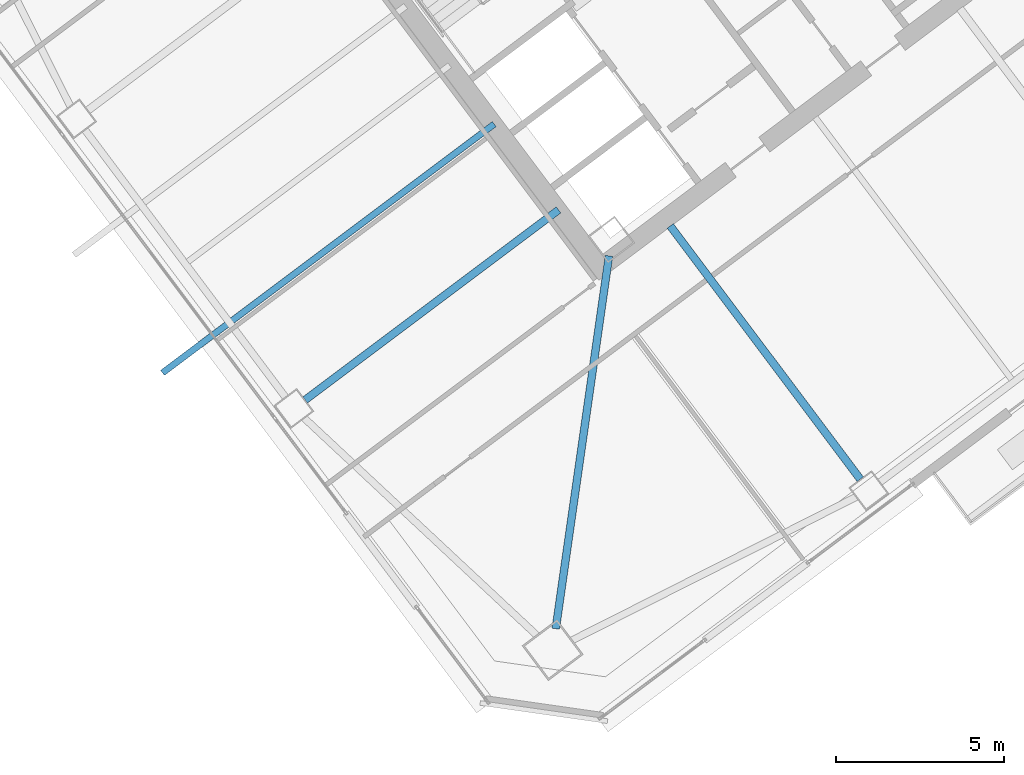
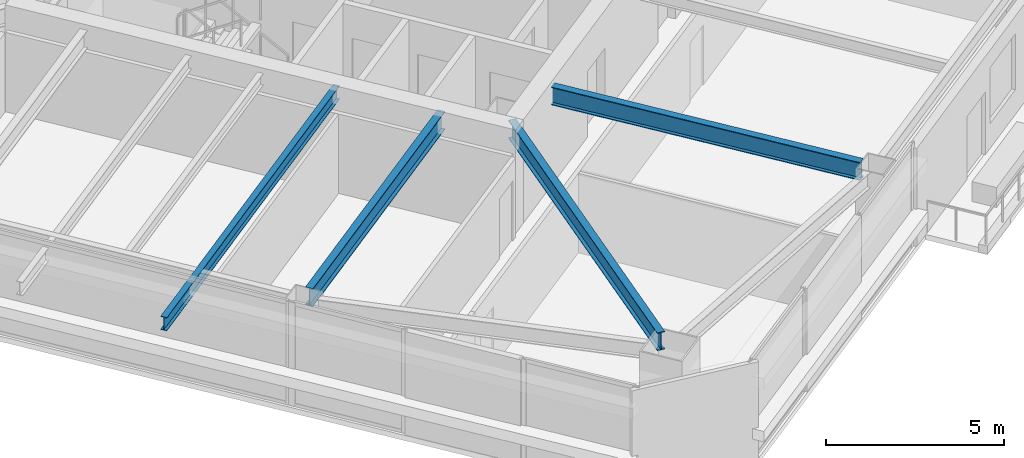
# One storey, part 22 of 46: 4 beams.
"""IFC4 building model written with IfcOpenShell, lengths in metres."""

from ifc_helpers import new_model, si_unit, direction, frame, origin, origin_2d, place, context, subcontext, project, spatial, i_section, extrude, material, material_profile, profile_set, type_object, element, save


model = new_model("IFC4")

# Units and contexts
model_context = context("Model", 3, precision=1e-05, world=origin(), true_north=direction((0.0, 1.0)))
body_context = subcontext(model_context, "Body", "Model", "MODEL_VIEW")
ifc_project = project(units=[si_unit("LENGTHUNIT", "METRE"), si_unit("AREAUNIT", "SQUARE_METRE"), si_unit("VOLUMEUNIT", "CUBIC_METRE"), si_unit("PLANEANGLEUNIT", "RADIAN"), si_unit("MASSUNIT", "GRAM", prefix="KILO")], contexts=[model_context])

# Site, building, storey
site_placement = place(None, origin())
site = spatial("IfcSite", under=ifc_project, at=site_placement, CompositionType="ELEMENT")
building_placement = place(site_placement, origin())
building = spatial("IfcBuilding", under=site, at=building_placement, Name="Tashvorn Skyway Center", CompositionType="ELEMENT")
storey_placement = place(building_placement, frame((0.0, 0.0, 139.25)))
storey = spatial("IfcBuildingStorey", under=building, at=storey_placement, Name="L37", CompositionType="ELEMENT", Elevation=139.25)

# Beams
ifc_material = material(Name="Steel ASTM A992 Grade 50", Category="steel")
ifc_material_profile_1 = material_profile(ifc_material, i_section(OverallWidth=0.22998046875, OverallDepth=0.616943359375, WebThickness=0.01318359375, FlangeThickness=0.022216796875, at=origin_2d()), Name="W24X94")
ifc_profile_set_1 = profile_set([ifc_material_profile_1], Name="Steel ASTM A992 Grade 50")
beam_type_1 = type_object("IfcBeamType", Name="BM-BEAM-W24X94", PredefinedType="BEAM", material=ifc_profile_set_1)
beam_1_placement = place(storey_placement, frame((110.93115234375, 10.5185546875, 3.0615234375), z_axis=(0.141430483583, 0.989948189712, 0.0), x_axis=(-0.989948189712, 0.141430483583, 0.0)))
element("IfcBeam", 1, at=beam_1_placement, inside=storey, type_object=beam_type_1, Name="Tower 2 L37 Primary Floor Girder MC-SW", PredefinedType="BEAM", context=body_context, shape_type="SweptSolid", body=[
    extrude(i_section(OverallWidth=0.22998046875, OverallDepth=0.616943359375, WebThickness=0.01318359375, FlangeThickness=0.022216796875, at=origin_2d()), origin(), (0.0, 0.0, 1.0), 11.234375),
])
for number, where, z_axis, x_axis, name in (
    (2, (120.01806640625, 14.97607421875, 3.0615234375), (-0.600020667896, 0.799984498661, 0.0), (-0.799984498661, -0.600020667896, 0.0), "Tower 2 L37 Primary Floor Girder FC-S1"),
    (3, (103.4560546875, 17.342041015625, 3.0615234375), (0.800006200354, 0.599991732772, 0.0), (-0.599991732772, 0.800006200354, 0.0), "Tower 2 L37 Primary Floor Girder FC-W2"),
):
    element("IfcBeam", number, at=place(storey_placement, frame(where, z_axis=z_axis, x_axis=x_axis)), inside=storey, type_object=beam_type_1, Name=name, PredefinedType="BEAM", context=body_context, shape_type="SweptSolid", body=[
        extrude(i_section(OverallWidth=0.22998046875, OverallDepth=0.616943359375, WebThickness=0.01318359375, FlangeThickness=0.022216796875, at=origin_2d()), origin(), (0.0, 0.0, 1.0), 9.449951171875),
    ])
ifc_material_profile_2 = material_profile(ifc_material, i_section(OverallWidth=0.19091796875, OverallDepth=0.4599609375, WebThickness=0.010009765625, FlangeThickness=0.01611328125, at=origin_2d()), Name="W18X55")
ifc_profile_set_2 = profile_set([ifc_material_profile_2], Name="Steel ASTM A992 Grade 50")
beam_type_2 = type_object("IfcBeamType", Name="BM-JOIST-W18X55", PredefinedType="JOIST", material=ifc_profile_set_2)
beam_2_placement = place(storey_placement, frame((109.095947265625, 25.572021484375, 3.139892578125), z_axis=(-0.799995263239, -0.60000631563, 0.0), x_axis=(0.60000631563, -0.799995263239, 0.0)))
element("IfcBeam", 4, at=beam_2_placement, inside=storey, type_object=beam_type_2, Name="Tower 2 L38 Terrace Cantilever Outlooker 1", PredefinedType="JOIST", context=body_context, shape_type="SweptSolid", body=[
    extrude(i_section(OverallWidth=0.19091796875, OverallDepth=0.4599609375, WebThickness=0.010009765625, FlangeThickness=0.01611328125, at=origin_2d()), origin(), (0.0, 0.0, 1.0), 12.3701171875),
])

save(model, "model.ifc")
